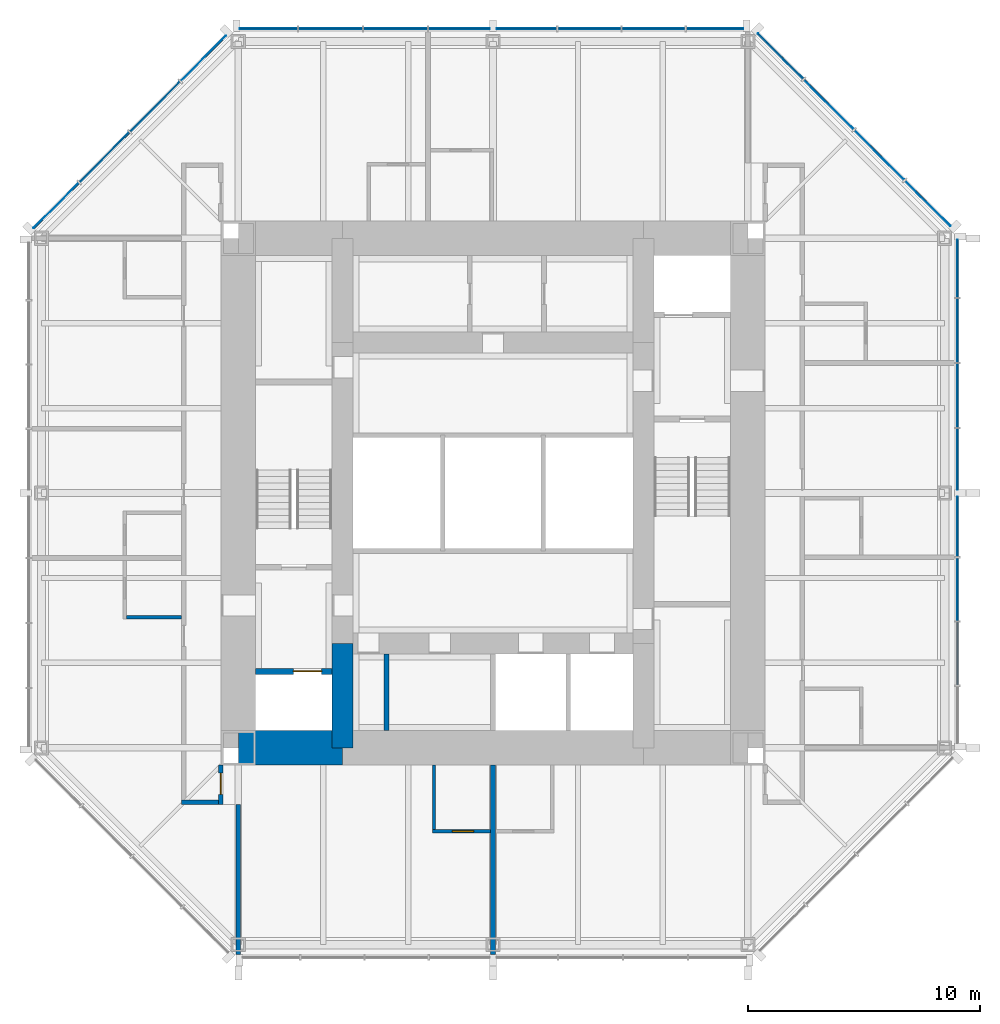
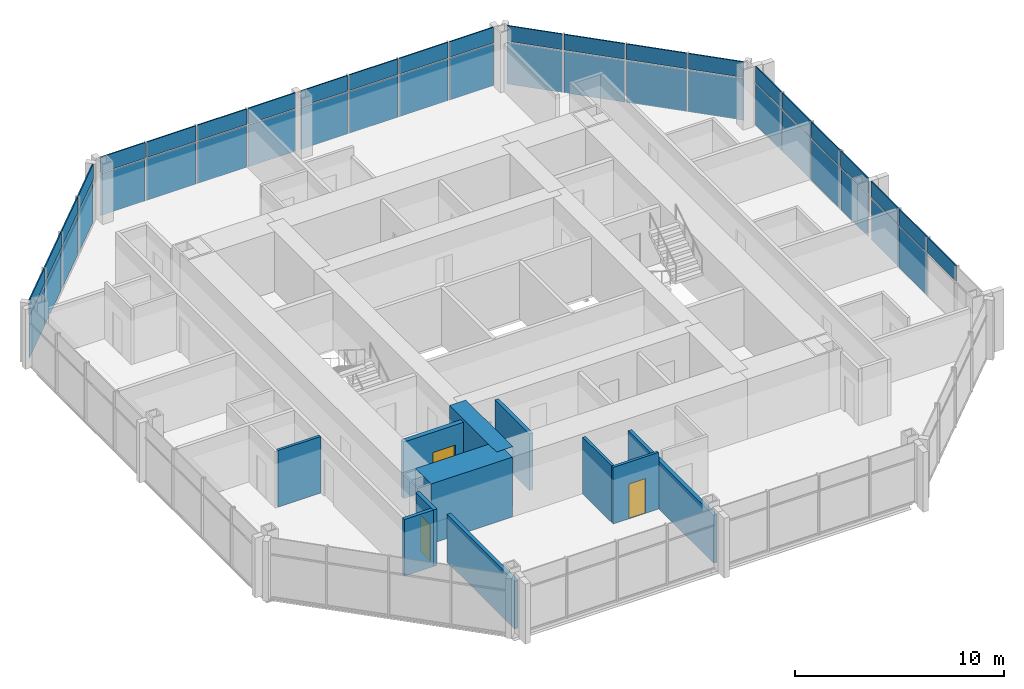
# One storey, part 7 of 11: 45 plates, 11 walls, 3 doors, 3 openings, 4 elements without a shape of their own.
"""IFC4 building model written with IfcOpenShell, lengths in metres."""

import ifcopenshell
import ifcopenshell.guid

model = None  # the IFC model being written
_history = None  # IfcOwnerHistory: only IFC2X3 demands one
_inside = {}  # id of a spatial element -> (the spatial element, [elements in it])
_under = {}  # id of a project, library or spatial element -> (it, [spatial elements below it])
_declared = {}  # id of a project -> (the project, [libraries it declares])
_typed = {}  # id of a type object -> (the type object, [elements of that type])
_made_of = {}  # id of a material, layer set ... -> (it, [elements and type objects made of it])


def new_model(schema):
    """Start an empty IFC model of exactly this schema.

    Asked for "IFC4X3", IfcOpenShell would pick the latest addendum, in which some entities
    have other attributes; the version numbers below select the first issue.
    IFC2X3 requires an IfcOwnerHistory on every rooted entity: one is made here for all.
    """
    global model, _history
    if schema == "IFC4X3":
        model = ifcopenshell.file(schema_version=(4, 3, 0, 0))
    else:
        model = ifcopenshell.file(schema=schema)
    _inside.clear()
    _under.clear()
    _declared.clear()
    _typed.clear()
    _made_of.clear()
    _history = None
    if model.schema == "IFC2X3":
        org = make("IfcOrganization", Name="unknown")
        user = make(
            "IfcPersonAndOrganization",
            ThePerson=make("IfcPerson", FamilyName="unknown"),
            TheOrganization=org,
        )
        app = make(
            "IfcApplication",
            ApplicationDeveloper=org,
            Version="unknown",
            ApplicationFullName="unknown",
            ApplicationIdentifier="unknown",
        )
        _history = make(
            "IfcOwnerHistory",
            OwningUser=user,
            OwningApplication=app,
            ChangeAction="ADDED",
            CreationDate=0,
        )
    return model


def make(cls, **values):
    """One entity of the class cls with the attributes given. An attribute that is None is left unset."""
    return model.create_entity(
        cls, **{name: value for name, value in values.items() if value is not None}
    )


def rooted(cls, **values):
    """An entity with a GlobalId (a new one), such as an element, a storey or a relation."""
    return make(cls, GlobalId=ifcopenshell.guid.new(), OwnerHistory=_history, **values)


def si_unit(unit_type, name, prefix=None):
    """IfcSIUnit, for example si_unit("LENGTHUNIT", "METRE", prefix="MILLI")."""
    return make("IfcSIUnit", UnitType=unit_type, Prefix=prefix, Name=name)


def assignment(units):
    """IfcUnitAssignment: the units of a project."""
    return None if units is None else make("IfcUnitAssignment", Units=units)


def point(xyz):
    """IfcCartesianPoint."""
    return None if xyz is None else make("IfcCartesianPoint", Coordinates=xyz)


def direction(xyz):
    """IfcDirection."""
    return None if xyz is None else make("IfcDirection", DirectionRatios=xyz)


def frame(location, z_axis=None, x_axis=None):
    """IfcAxis2Placement3D, a coordinate frame: its origin and axes. An axis left out is left unset."""
    return make(
        "IfcAxis2Placement3D",
        Location=point(location),
        Axis=direction(z_axis),
        RefDirection=direction(x_axis),
    )


def frame_2d(location, x_axis=None):
    """IfcAxis2Placement2D, a coordinate frame in the plane: its origin and x axis."""
    return make(
        "IfcAxis2Placement2D", Location=point(location), RefDirection=direction(x_axis)
    )


def origin():
    """The frame at (0, 0, 0) with its axes left unset."""
    return frame((0.0, 0.0, 0.0))


def origin_2d():
    """The frame at (0, 0) in the plane with its x axis left unset."""
    return frame_2d((0.0, 0.0))


def place(relative_to, where):
    """IfcLocalPlacement: puts the frame where relative to a parent placement (None: the world)."""
    return make(
        "IfcLocalPlacement", PlacementRelTo=relative_to, RelativePlacement=where
    )


def context(
    kind, dimensions, precision=None, world=None, true_north=None, identifier=None
):
    """IfcGeometricRepresentationContext, for example the 3D "Model" context."""
    return make(
        "IfcGeometricRepresentationContext",
        ContextIdentifier=identifier,
        ContextType=kind,
        CoordinateSpaceDimension=dimensions,
        Precision=precision,
        WorldCoordinateSystem=world,
        TrueNorth=true_north,
    )


def subcontext(parent, identifier, kind, view, scale=None):
    """IfcGeometricRepresentationSubContext, for example "Body" below "Model"."""
    return make(
        "IfcGeometricRepresentationSubContext",
        ContextIdentifier=identifier,
        ContextType=kind,
        ParentContext=parent,
        TargetScale=scale,
        TargetView=view,
    )


def project(units=None, contexts=None):
    """IfcProject with its units and contexts."""
    return rooted(
        "IfcProject",
        Name="project",
        RepresentationContexts=contexts,
        UnitsInContext=assignment(units),
    )


def spatial(cls, under=None, at=None, **own):
    """A site, building, storey or space (cls), placed at a placement, below another one or the project."""
    s = rooted(cls, ObjectPlacement=at, **own)
    if under is not None:
        _under.setdefault(under.id(), (under, []))[1].append(s)
    return s


def profile(cls, at=None, kind="AREA", **sizes):
    """A parametric profile (cls). Its sizes go by their IFC names, for example OverallWidth=200.0."""
    return make(cls, ProfileType=kind, Position=at, **sizes)


def rectangle(**sizes):
    """IfcRectangleProfileDef."""
    return profile("IfcRectangleProfileDef", **sizes)


def extrude(swept, where, along, depth):
    """IfcExtrudedAreaSolid: the profile swept, set in the frame where, extruded along a direction by depth."""
    return make(
        "IfcExtrudedAreaSolid",
        SweptArea=swept,
        Position=where,
        ExtrudedDirection=direction(along),
        Depth=depth,
    )


def shape(context_of_items, identifier, shape_type, items):
    """IfcShapeRepresentation: the items that make up one representation, for example the "Body"."""
    return make(
        "IfcShapeRepresentation",
        ContextOfItems=context_of_items,
        RepresentationIdentifier=identifier,
        RepresentationType=shape_type,
        Items=items,
    )


def material(Name=None, Category=None):
    """IfcMaterial."""
    return make("IfcMaterial", Name=Name, Category=Category)


def layer(
    of_material, thickness, ventilated=None, Name=None, Category=None, Priority=None
):
    """IfcMaterialLayer: one layer of a wall or slab, of a material (None: an air gap)."""
    return make(
        "IfcMaterialLayer",
        Material=of_material,
        LayerThickness=thickness,
        IsVentilated=ventilated,
        Name=Name,
        Category=Category,
        Priority=Priority,
    )


def layer_set(layers, Name=None):
    """IfcMaterialLayerSet."""
    return make("IfcMaterialLayerSet", MaterialLayers=layers, LayerSetName=Name)


def made_of(thing, what):
    """Note that an element or type object is made of a material, layer set ...; save() writes the relation."""
    if what is not None:
        _made_of.setdefault(what.id(), (what, []))[1].append(thing)
    return thing


def type_object(cls, material=None, **own):
    """A type object (cls), such as IfcWallType, which elements share."""
    return made_of(rooted(cls, **own), material)


def element(
    cls,
    number,
    at=None,
    inside=None,
    cuts=None,
    type_object=None,
    material=None,
    context=None,
    identifier="Body",
    shape_type=None,
    held_by="IfcProductDefinitionShape",
    body=None,
    shapes=None,
    **own,
):
    """One element of the class cls, such as IfcWall. Its Tag is "e" and its number.

    at: its placement. inside: the storey or other place that contains it. cuts: it is an
    opening in that element (IfcRelVoidsElement). A single representation is given by context,
    identifier, shape_type and body (its items); several are given by shapes. held_by: the class
    of the entity that holds the representations. save() writes the other relations.
    """
    e = rooted(cls, Tag="e%d" % number, ObjectPlacement=at, **own)
    if body is not None:
        shapes = [shape(context, identifier, shape_type, body)]
    if shapes is not None:
        e.Representation = make(held_by, Representations=shapes)
    if inside is not None:
        _inside.setdefault(inside.id(), (inside, []))[1].append(e)
    if cuts is not None:
        rooted(
            "IfcRelVoidsElement", RelatingBuildingElement=cuts, RelatedOpeningElement=e
        )
    if type_object is not None:
        _typed.setdefault(type_object.id(), (type_object, []))[1].append(e)
    return made_of(e, material)


def fill(opening, filler):
    """IfcRelFillsElement: the door or window that sits in an opening."""
    return rooted(
        "IfcRelFillsElement",
        RelatingOpeningElement=opening,
        RelatedBuildingElement=filler,
    )


def aggregate(whole, parts):
    """IfcRelAggregates: a whole, such as a stair, and the parts it consists of."""
    return rooted("IfcRelAggregates", RelatingObject=whole, RelatedObjects=parts)


def save(model, path):
    """Write the relations noted so far, then the file.

    IfcRelAggregates (storeys below a building ...), IfcRelContainedInSpatialStructure (elements
    in a storey), IfcRelDefinesByType, IfcRelAssociatesMaterial and IfcRelDeclares: one each for
    every whole, place, type object, material and project.
    """
    for whole, parts in _under.values():
        aggregate(whole, parts)
    for where, things in _inside.values():
        rooted(
            "IfcRelContainedInSpatialStructure",
            RelatedElements=things,
            RelatingStructure=where,
        )
    for kind, things in _typed.values():
        rooted("IfcRelDefinesByType", RelatedObjects=things, RelatingType=kind)
    for what, things in _made_of.values():
        rooted("IfcRelAssociatesMaterial", RelatedObjects=things, RelatingMaterial=what)
    for by, libraries in _declared.values():
        rooted("IfcRelDeclares", RelatingContext=by, RelatedDefinitions=libraries)
    model.write(path)


model = new_model("IFC4")

# Units and contexts
model_context = context("Model", 3, precision=1e-05, world=origin(), true_north=direction((0.0, 1.0)))
body_context = subcontext(model_context, "Body", "Model", "MODEL_VIEW")
ifc_project = project(units=[si_unit("LENGTHUNIT", "METRE"), si_unit("AREAUNIT", "SQUARE_METRE"), si_unit("VOLUMEUNIT", "CUBIC_METRE"), si_unit("PLANEANGLEUNIT", "RADIAN"), si_unit("MASSUNIT", "GRAM", prefix="KILO")], contexts=[model_context])

# Site, building, storey
site_placement = place(None, origin())
site = spatial("IfcSite", under=ifc_project, at=site_placement, CompositionType="ELEMENT")
building_placement = place(site_placement, origin())
building = spatial("IfcBuilding", under=site, at=building_placement, Name="Trevanion Tower", CompositionType="ELEMENT")
storey_placement = place(building_placement, frame((0.0, 0.0, 232.699951171875)))
storey = spatial("IfcBuildingStorey", under=building, at=storey_placement, Name="L56", CompositionType="ELEMENT", Elevation=232.699951171875)

# Curtain wall, plates
ifc_material_1 = material(Name="Aluminium and glass", Category="aluminium")
curtain_wall_type = type_object("IfcCurtainWallType", Name="CW3 curtain wall", PredefinedType="USERDEFINED", material=ifc_material_1)
curtain_wall_1_placement = place(storey_placement, origin())
curtain_wall_1 = element("IfcCurtainWall", 1, at=curtain_wall_1_placement, inside=storey, type_object=curtain_wall_type, Name="CW3 L56 0", ObjectType="UNITISED CURTAIN WALL", PredefinedType="USERDEFINED")
ifc_material_2 = material(Name="Aluminium spandrel panel", Category="aluminium")
ifc_layer_1 = layer(ifc_material_2, 0.06005859375)
ifc_layer_set_1 = layer_set([ifc_layer_1], Name="CW3 spandrel panel")
plate_type_1 = type_object("IfcPlateType", Name="CW3 spandrel panel", PredefinedType="CURTAIN_PANEL", material=ifc_layer_set_1)
plate_1_placement = place(storey_placement, frame((20.050048828125, -6.93603515625, 2.3974609375), z_axis=(0.0, 0.0, 1.0), x_axis=(0.0, 1.0, 0.0)))
plate_1 = element("IfcPlate", 2, at=plate_1_placement, type_object=plate_type_1, Name="CW3 panel 2.2", PredefinedType="CURTAIN_PANEL", context=body_context, shape_type="SweptSolid", body=[
    extrude(rectangle(XDim=2.699462890625, YDim=0.06005859375, at=origin_2d()), origin(), (0.0, 0.0, 1.0), 0.91259765625),
])
plate_2_placement = place(storey_placement, frame((20.050048828125, -4.16162109375, 2.3974609375), z_axis=(0.0, 0.0, 1.0), x_axis=(0.0, 1.0, 0.0)))
plate_2 = element("IfcPlate", 3, at=plate_2_placement, type_object=plate_type_1, Name="CW3 panel 3.2", PredefinedType="CURTAIN_PANEL", context=body_context, shape_type="SweptSolid", body=[
    extrude(rectangle(XDim=2.699462890625, YDim=0.06005859375, at=origin_2d()), origin(), (0.0, 0.0, 1.0), 0.91259765625),
])
plate_3_placement = place(storey_placement, frame((20.050048828125, -1.443603515625, 2.3974609375), z_axis=(0.0, 0.0, 1.0), x_axis=(0.0, 1.0, 0.0)))
plate_3 = element("IfcPlate", 4, at=plate_3_placement, type_object=plate_type_1, Name="CW3 panel 4.2", PredefinedType="CURTAIN_PANEL", context=body_context, shape_type="SweptSolid", body=[
    extrude(rectangle(XDim=2.5869140625, YDim=0.06005859375, at=origin_2d()), origin(), (0.0, 0.0, 1.0), 0.91259765625),
])
plate_4_placement = place(storey_placement, frame((20.050048828125, 1.459716796875, 2.3974609375), z_axis=(0.0, 0.0, 1.0), x_axis=(0.0, 1.0, 0.0)))
plate_4 = element("IfcPlate", 5, at=plate_4_placement, type_object=plate_type_1, Name="CW3 panel 5.2", PredefinedType="CURTAIN_PANEL", context=body_context, shape_type="SweptSolid", body=[
    extrude(rectangle(XDim=2.619384765625, YDim=0.06005859375, at=origin_2d()), origin(), (0.0, 0.0, 1.0), 0.91259765625),
])
plate_5_placement = place(storey_placement, frame((20.050048828125, 4.21044921875, 2.3974609375), z_axis=(0.0, 0.0, 1.0), x_axis=(0.0, 1.0, 0.0)))
plate_5 = element("IfcPlate", 6, at=plate_5_placement, type_object=plate_type_1, Name="CW3 panel 6.2", PredefinedType="CURTAIN_PANEL", context=body_context, shape_type="SweptSolid", body=[
    extrude(rectangle(XDim=2.73193359375, YDim=0.06005859375, at=origin_2d()), origin(), (0.0, 0.0, 1.0), 0.91259765625),
])
plate_6_placement = place(storey_placement, frame((20.050048828125, 7.017333984375, 2.3974609375), z_axis=(0.0, 0.0, 1.0), x_axis=(0.0, 1.0, 0.0)))
plate_6 = element("IfcPlate", 7, at=plate_6_placement, type_object=plate_type_1, Name="CW3 panel 7.2", PredefinedType="CURTAIN_PANEL", context=body_context, shape_type="SweptSolid", body=[
    extrude(rectangle(XDim=2.73193359375, YDim=0.06005859375, at=origin_2d()), origin(), (0.0, 0.0, 1.0), 0.91259765625),
])
plate_7_placement = place(storey_placement, frame((20.050048828125, 9.693115234375, 2.3974609375), z_axis=(0.0, 0.0, 1.0), x_axis=(0.0, 1.0, 0.0)))
plate_7 = element("IfcPlate", 8, at=plate_7_placement, type_object=plate_type_1, Name="CW3 panel 8.2", PredefinedType="CURTAIN_PANEL", context=body_context, shape_type="SweptSolid", body=[
    extrude(rectangle(XDim=2.469482421875, YDim=0.06005859375, at=origin_2d()), origin(), (0.0, 0.0, 1.0), 0.91259765625),
])

curtain_wall_2_placement = place(storey_placement, origin())
curtain_wall_2 = element("IfcCurtainWall", 9, at=curtain_wall_2_placement, inside=storey, type_object=curtain_wall_type, Name="CW3 L56 1", ObjectType="UNITISED CURTAIN WALL", PredefinedType="USERDEFINED")
plate_8_placement = place(storey_placement, frame((18.77392578125, 12.50390625, 2.3974609375), z_axis=(0.0, 0.0, 1.0), x_axis=(-0.707106781187, 0.707106781187, 0.0)))
plate_8 = element("IfcPlate", 10, at=plate_8_placement, type_object=plate_type_1, Name="CW3 panel 1.2", PredefinedType="CURTAIN_PANEL", context=body_context, shape_type="SweptSolid", body=[
    extrude(rectangle(XDim=2.7490234375, YDim=0.06005859375, at=origin_2d()), origin(), (0.0, 0.0, 1.0), 0.91259765625),
])
plate_9_placement = place(storey_placement, frame((16.68408203125, 14.593505859375, 2.3974609375), z_axis=(0.0, 0.0, 1.0), x_axis=(-0.707106781187, 0.707106781187, 0.0)))
plate_9 = element("IfcPlate", 11, at=plate_9_placement, type_object=plate_type_1, Name="CW3 panel 2.2", PredefinedType="CURTAIN_PANEL", context=body_context, shape_type="SweptSolid", body=[
    extrude(rectangle(XDim=3.01171875, YDim=0.06005859375, at=origin_2d()), origin(), (0.0, 0.0, 1.0), 0.91259765625),
])
plate_10_placement = place(storey_placement, frame((14.501708984375, 16.776123046875, 2.3974609375), z_axis=(0.0, 0.0, 1.0), x_axis=(-0.707106781187, 0.707106781187, 0.0)))
plate_10 = element("IfcPlate", 12, at=plate_10_placement, type_object=plate_type_1, Name="CW3 panel 3.2", PredefinedType="CURTAIN_PANEL", context=body_context, shape_type="SweptSolid", body=[
    extrude(rectangle(XDim=3.01171875, YDim=0.06005859375, at=origin_2d()), origin(), (0.0, 0.0, 1.0), 0.91259765625),
])
plate_11_placement = place(storey_placement, frame((12.411865234375, 18.865966796875, 2.3974609375), z_axis=(0.0, 0.0, 1.0), x_axis=(-0.707106781187, 0.707106781187, 0.0)))
plate_11 = element("IfcPlate", 13, at=plate_11_placement, type_object=plate_type_1, Name="CW3 panel 4.2", PredefinedType="CURTAIN_PANEL", context=body_context, shape_type="SweptSolid", body=[
    extrude(rectangle(XDim=2.7490234375, YDim=0.06005859375, at=origin_2d()), origin(), (0.0, 0.0, 1.0), 0.91259765625),
])

curtain_wall_3_placement = place(storey_placement, origin())
curtain_wall_3 = element("IfcCurtainWall", 14, at=curtain_wall_3_placement, inside=storey, type_object=curtain_wall_type, Name="CW3 L56 2", ObjectType="UNITISED CURTAIN WALL", PredefinedType="USERDEFINED")
plate_12_placement = place(storey_placement, frame((9.579345703125, 20.050048828125, 2.3974609375), z_axis=(0.0, 0.0, 1.0), x_axis=(-1.0, 0.0, 0.0)))
plate_12 = element("IfcPlate", 15, at=plate_12_placement, type_object=plate_type_1, Name="CW3 panel 1.2", PredefinedType="CURTAIN_PANEL", context=body_context, shape_type="SweptSolid", body=[
    extrude(rectangle(XDim=2.43701171875, YDim=0.06005859375, at=origin_2d()), origin(), (0.0, 0.0, 1.0), 0.91259765625),
])
plate_13_placement = place(storey_placement, frame((6.93603515625, 20.050048828125, 2.3974609375), z_axis=(0.0, 0.0, 1.0), x_axis=(-1.0, 0.0, 0.0)))
plate_13 = element("IfcPlate", 16, at=plate_13_placement, type_object=plate_type_1, Name="CW3 panel 2.2", PredefinedType="CURTAIN_PANEL", context=body_context, shape_type="SweptSolid", body=[
    extrude(rectangle(XDim=2.699462890625, YDim=0.06005859375, at=origin_2d()), origin(), (0.0, 0.0, 1.0), 0.91259765625),
])
plate_14_placement = place(storey_placement, frame((4.16162109375, 20.050048828125, 2.3974609375), z_axis=(0.0, 0.0, 1.0), x_axis=(-1.0, 0.0, 0.0)))
plate_14 = element("IfcPlate", 17, at=plate_14_placement, type_object=plate_type_1, Name="CW3 panel 3.2", PredefinedType="CURTAIN_PANEL", context=body_context, shape_type="SweptSolid", body=[
    extrude(rectangle(XDim=2.699462890625, YDim=0.06005859375, at=origin_2d()), origin(), (0.0, 0.0, 1.0), 0.91259765625),
])
plate_15_placement = place(storey_placement, frame((1.443603515625, 20.050048828125, 2.3974609375), z_axis=(0.0, 0.0, 1.0), x_axis=(-1.0, 0.0, 0.0)))
plate_15 = element("IfcPlate", 18, at=plate_15_placement, type_object=plate_type_1, Name="CW3 panel 4.2", PredefinedType="CURTAIN_PANEL", context=body_context, shape_type="SweptSolid", body=[
    extrude(rectangle(XDim=2.5869140625, YDim=0.06005859375, at=origin_2d()), origin(), (0.0, 0.0, 1.0), 0.91259765625),
])
plate_16_placement = place(storey_placement, frame((-1.459716796875, 20.050048828125, 2.3974609375), z_axis=(0.0, 0.0, 1.0), x_axis=(-1.0, 0.0, 0.0)))
plate_16 = element("IfcPlate", 19, at=plate_16_placement, type_object=plate_type_1, Name="CW3 panel 5.2", PredefinedType="CURTAIN_PANEL", context=body_context, shape_type="SweptSolid", body=[
    extrude(rectangle(XDim=2.619384765625, YDim=0.06005859375, at=origin_2d()), origin(), (0.0, 0.0, 1.0), 0.91259765625),
])
plate_17_placement = place(storey_placement, frame((-4.21044921875, 20.050048828125, 2.3974609375), z_axis=(0.0, 0.0, 1.0), x_axis=(-1.0, 0.0, 0.0)))
plate_17 = element("IfcPlate", 20, at=plate_17_placement, type_object=plate_type_1, Name="CW3 panel 6.2", PredefinedType="CURTAIN_PANEL", context=body_context, shape_type="SweptSolid", body=[
    extrude(rectangle(XDim=2.73193359375, YDim=0.06005859375, at=origin_2d()), origin(), (0.0, 0.0, 1.0), 0.91259765625),
])
plate_18_placement = place(storey_placement, frame((-7.017333984375, 20.050048828125, 2.3974609375), z_axis=(0.0, 0.0, 1.0), x_axis=(-1.0, 0.0, 0.0)))
plate_18 = element("IfcPlate", 21, at=plate_18_placement, type_object=plate_type_1, Name="CW3 panel 7.2", PredefinedType="CURTAIN_PANEL", context=body_context, shape_type="SweptSolid", body=[
    extrude(rectangle(XDim=2.73193359375, YDim=0.06005859375, at=origin_2d()), origin(), (0.0, 0.0, 1.0), 0.91259765625),
])
plate_19_placement = place(storey_placement, frame((-9.693115234375, 20.050048828125, 2.3974609375), z_axis=(0.0, 0.0, 1.0), x_axis=(-1.0, 0.0, 0.0)))
plate_19 = element("IfcPlate", 22, at=plate_19_placement, type_object=plate_type_1, Name="CW3 panel 8.2", PredefinedType="CURTAIN_PANEL", context=body_context, shape_type="SweptSolid", body=[
    extrude(rectangle(XDim=2.469482421875, YDim=0.06005859375, at=origin_2d()), origin(), (0.0, 0.0, 1.0), 0.91259765625),
])

curtain_wall_4_placement = place(storey_placement, origin())
curtain_wall_4 = element("IfcCurtainWall", 23, at=curtain_wall_4_placement, inside=storey, type_object=curtain_wall_type, Name="CW3 L56 3", ObjectType="UNITISED CURTAIN WALL", PredefinedType="USERDEFINED")
plate_20_placement = place(storey_placement, frame((-12.50390625, 18.77392578125, 2.3974609375), z_axis=(0.0, 0.0, 1.0), x_axis=(-0.707106781187, -0.707106781187, 0.0)))
plate_20 = element("IfcPlate", 24, at=plate_20_placement, type_object=plate_type_1, Name="CW3 panel 1.2", PredefinedType="CURTAIN_PANEL", context=body_context, shape_type="SweptSolid", body=[
    extrude(rectangle(XDim=2.7490234375, YDim=0.06005859375, at=origin_2d()), origin(), (0.0, 0.0, 1.0), 0.91259765625),
])
plate_21_placement = place(storey_placement, frame((-14.593505859375, 16.68408203125, 2.3974609375), z_axis=(0.0, 0.0, 1.0), x_axis=(-0.707106781187, -0.707106781187, 0.0)))
plate_21 = element("IfcPlate", 25, at=plate_21_placement, type_object=plate_type_1, Name="CW3 panel 2.2", PredefinedType="CURTAIN_PANEL", context=body_context, shape_type="SweptSolid", body=[
    extrude(rectangle(XDim=3.01171875, YDim=0.06005859375, at=origin_2d()), origin(), (0.0, 0.0, 1.0), 0.91259765625),
])
plate_22_placement = place(storey_placement, frame((-16.776123046875, 14.501708984375, 2.3974609375), z_axis=(0.0, 0.0, 1.0), x_axis=(-0.707106781187, -0.707106781187, 0.0)))
plate_22 = element("IfcPlate", 26, at=plate_22_placement, type_object=plate_type_1, Name="CW3 panel 3.2", PredefinedType="CURTAIN_PANEL", context=body_context, shape_type="SweptSolid", body=[
    extrude(rectangle(XDim=3.01171875, YDim=0.06005859375, at=origin_2d()), origin(), (0.0, 0.0, 1.0), 0.91259765625),
])
plate_23_placement = place(storey_placement, frame((-18.865966796875, 12.411865234375, 2.3974609375), z_axis=(0.0, 0.0, 1.0), x_axis=(-0.707106781187, -0.707106781187, 0.0)))
plate_23 = element("IfcPlate", 27, at=plate_23_placement, type_object=plate_type_1, Name="CW3 panel 4.2", PredefinedType="CURTAIN_PANEL", context=body_context, shape_type="SweptSolid", body=[
    extrude(rectangle(XDim=2.7490234375, YDim=0.06005859375, at=origin_2d()), origin(), (0.0, 0.0, 1.0), 0.91259765625),
])

# Plate
ifc_material_3 = material(Name="Insulating glass unit", Category="glass")
ifc_layer_2 = layer(ifc_material_3, 0.028076171875)
ifc_layer_set_2 = layer_set([ifc_layer_2], Name="CW3 vision panel")
plate_type_2 = type_object("IfcPlateType", Name="CW3 vision panel", PredefinedType="CURTAIN_PANEL", material=ifc_layer_set_2)
plate_24_placement = place(storey_placement, frame((20.050048828125, -4.16162109375, -0.114990234375), z_axis=(0.0, 0.0, 1.0), x_axis=(0.0, 1.0, 0.0)))
plate_24 = element("IfcPlate", 28, at=plate_24_placement, type_object=plate_type_2, Name="CW3 panel 3.1", PredefinedType="CURTAIN_PANEL", context=body_context, shape_type="SweptSolid", body=[
    extrude(rectangle(XDim=2.699462890625, YDim=0.028076171875, at=origin_2d()), origin(), (0.0, 0.0, 1.0), 2.4375),
])

plate_25_placement = place(storey_placement, frame((20.050048828125, -1.443603515625, -0.114990234375), z_axis=(0.0, 0.0, 1.0), x_axis=(0.0, 1.0, 0.0)))
plate_25 = element("IfcPlate", 29, at=plate_25_placement, type_object=plate_type_2, Name="CW3 panel 4.1", PredefinedType="CURTAIN_PANEL", context=body_context, shape_type="SweptSolid", body=[
    extrude(rectangle(XDim=2.5869140625, YDim=0.028076171875, at=origin_2d()), origin(), (0.0, 0.0, 1.0), 2.4375),
])

plate_26_placement = place(storey_placement, frame((20.050048828125, 1.459716796875, -0.114990234375), z_axis=(0.0, 0.0, 1.0), x_axis=(0.0, 1.0, 0.0)))
plate_26 = element("IfcPlate", 30, at=plate_26_placement, type_object=plate_type_2, Name="CW3 panel 5.1", PredefinedType="CURTAIN_PANEL", context=body_context, shape_type="SweptSolid", body=[
    extrude(rectangle(XDim=2.619384765625, YDim=0.028076171875, at=origin_2d()), origin(), (0.0, 0.0, 1.0), 2.4375),
])

plate_27_placement = place(storey_placement, frame((20.050048828125, 4.21044921875, -0.114990234375), z_axis=(0.0, 0.0, 1.0), x_axis=(0.0, 1.0, 0.0)))
plate_27 = element("IfcPlate", 31, at=plate_27_placement, type_object=plate_type_2, Name="CW3 panel 6.1", PredefinedType="CURTAIN_PANEL", context=body_context, shape_type="SweptSolid", body=[
    extrude(rectangle(XDim=2.73193359375, YDim=0.028076171875, at=origin_2d()), origin(), (0.0, 0.0, 1.0), 2.4375),
])

plate_28_placement = place(storey_placement, frame((20.050048828125, 7.017333984375, -0.114990234375), z_axis=(0.0, 0.0, 1.0), x_axis=(0.0, 1.0, 0.0)))
plate_28 = element("IfcPlate", 32, at=plate_28_placement, type_object=plate_type_2, Name="CW3 panel 7.1", PredefinedType="CURTAIN_PANEL", context=body_context, shape_type="SweptSolid", body=[
    extrude(rectangle(XDim=2.73193359375, YDim=0.028076171875, at=origin_2d()), origin(), (0.0, 0.0, 1.0), 2.4375),
])

plate_29_placement = place(storey_placement, frame((20.050048828125, 9.693115234375, -0.114990234375), z_axis=(0.0, 0.0, 1.0), x_axis=(0.0, 1.0, 0.0)))
plate_29 = element("IfcPlate", 33, at=plate_29_placement, type_object=plate_type_2, Name="CW3 panel 8.1", PredefinedType="CURTAIN_PANEL", context=body_context, shape_type="SweptSolid", body=[
    extrude(rectangle(XDim=2.469482421875, YDim=0.028076171875, at=origin_2d()), origin(), (0.0, 0.0, 1.0), 2.4375),
])

aggregate(curtain_wall_1, [plate_1, plate_24, plate_2, plate_25, plate_3, plate_26, plate_4, plate_27, plate_5, plate_28, plate_6, plate_29, plate_7])

plate_30_placement = place(storey_placement, frame((18.77392578125, 12.50390625, -0.114990234375), z_axis=(0.0, 0.0, 1.0), x_axis=(-0.707106781187, 0.707106781187, 0.0)))
plate_30 = element("IfcPlate", 34, at=plate_30_placement, type_object=plate_type_2, Name="CW3 panel 1.1", PredefinedType="CURTAIN_PANEL", context=body_context, shape_type="SweptSolid", body=[
    extrude(rectangle(XDim=2.7490234375, YDim=0.028076171875, at=origin_2d()), origin(), (0.0, 0.0, 1.0), 2.4375),
])

plate_31_placement = place(storey_placement, frame((16.68408203125, 14.593505859375, -0.114990234375), z_axis=(0.0, 0.0, 1.0), x_axis=(-0.707106781187, 0.707106781187, 0.0)))
plate_31 = element("IfcPlate", 35, at=plate_31_placement, type_object=plate_type_2, Name="CW3 panel 2.1", PredefinedType="CURTAIN_PANEL", context=body_context, shape_type="SweptSolid", body=[
    extrude(rectangle(XDim=3.01171875, YDim=0.028076171875, at=origin_2d()), origin(), (0.0, 0.0, 1.0), 2.4375),
])

plate_32_placement = place(storey_placement, frame((14.501708984375, 16.776123046875, -0.114990234375), z_axis=(0.0, 0.0, 1.0), x_axis=(-0.707106781187, 0.707106781187, 0.0)))
plate_32 = element("IfcPlate", 36, at=plate_32_placement, type_object=plate_type_2, Name="CW3 panel 3.1", PredefinedType="CURTAIN_PANEL", context=body_context, shape_type="SweptSolid", body=[
    extrude(rectangle(XDim=3.01171875, YDim=0.028076171875, at=origin_2d()), origin(), (0.0, 0.0, 1.0), 2.4375),
])

plate_33_placement = place(storey_placement, frame((12.411865234375, 18.865966796875, -0.114990234375), z_axis=(0.0, 0.0, 1.0), x_axis=(-0.707106781187, 0.707106781187, 0.0)))
plate_33 = element("IfcPlate", 37, at=plate_33_placement, type_object=plate_type_2, Name="CW3 panel 4.1", PredefinedType="CURTAIN_PANEL", context=body_context, shape_type="SweptSolid", body=[
    extrude(rectangle(XDim=2.7490234375, YDim=0.028076171875, at=origin_2d()), origin(), (0.0, 0.0, 1.0), 2.4375),
])

aggregate(curtain_wall_2, [plate_30, plate_8, plate_31, plate_9, plate_32, plate_10, plate_33, plate_11])

plate_34_placement = place(storey_placement, frame((9.579345703125, 20.050048828125, -0.114990234375), z_axis=(0.0, 0.0, 1.0), x_axis=(-1.0, 0.0, 0.0)))
plate_34 = element("IfcPlate", 38, at=plate_34_placement, type_object=plate_type_2, Name="CW3 panel 1.1", PredefinedType="CURTAIN_PANEL", context=body_context, shape_type="SweptSolid", body=[
    extrude(rectangle(XDim=2.43701171875, YDim=0.028076171875, at=origin_2d()), origin(), (0.0, 0.0, 1.0), 2.4375),
])

plate_35_placement = place(storey_placement, frame((6.93603515625, 20.050048828125, -0.114990234375), z_axis=(0.0, 0.0, 1.0), x_axis=(-1.0, 0.0, 0.0)))
plate_35 = element("IfcPlate", 39, at=plate_35_placement, type_object=plate_type_2, Name="CW3 panel 2.1", PredefinedType="CURTAIN_PANEL", context=body_context, shape_type="SweptSolid", body=[
    extrude(rectangle(XDim=2.699462890625, YDim=0.028076171875, at=origin_2d()), origin(), (0.0, 0.0, 1.0), 2.4375),
])

plate_36_placement = place(storey_placement, frame((4.16162109375, 20.050048828125, -0.114990234375), z_axis=(0.0, 0.0, 1.0), x_axis=(-1.0, 0.0, 0.0)))
plate_36 = element("IfcPlate", 40, at=plate_36_placement, type_object=plate_type_2, Name="CW3 panel 3.1", PredefinedType="CURTAIN_PANEL", context=body_context, shape_type="SweptSolid", body=[
    extrude(rectangle(XDim=2.699462890625, YDim=0.028076171875, at=origin_2d()), origin(), (0.0, 0.0, 1.0), 2.4375),
])

plate_37_placement = place(storey_placement, frame((1.443603515625, 20.050048828125, -0.114990234375), z_axis=(0.0, 0.0, 1.0), x_axis=(-1.0, 0.0, 0.0)))
plate_37 = element("IfcPlate", 41, at=plate_37_placement, type_object=plate_type_2, Name="CW3 panel 4.1", PredefinedType="CURTAIN_PANEL", context=body_context, shape_type="SweptSolid", body=[
    extrude(rectangle(XDim=2.5869140625, YDim=0.028076171875, at=origin_2d()), origin(), (0.0, 0.0, 1.0), 2.4375),
])

plate_38_placement = place(storey_placement, frame((-1.459716796875, 20.050048828125, -0.114990234375), z_axis=(0.0, 0.0, 1.0), x_axis=(-1.0, 0.0, 0.0)))
plate_38 = element("IfcPlate", 42, at=plate_38_placement, type_object=plate_type_2, Name="CW3 panel 5.1", PredefinedType="CURTAIN_PANEL", context=body_context, shape_type="SweptSolid", body=[
    extrude(rectangle(XDim=2.619384765625, YDim=0.028076171875, at=origin_2d()), origin(), (0.0, 0.0, 1.0), 2.4375),
])

plate_39_placement = place(storey_placement, frame((-4.21044921875, 20.050048828125, -0.114990234375), z_axis=(0.0, 0.0, 1.0), x_axis=(-1.0, 0.0, 0.0)))
plate_39 = element("IfcPlate", 43, at=plate_39_placement, type_object=plate_type_2, Name="CW3 panel 6.1", PredefinedType="CURTAIN_PANEL", context=body_context, shape_type="SweptSolid", body=[
    extrude(rectangle(XDim=2.73193359375, YDim=0.028076171875, at=origin_2d()), origin(), (0.0, 0.0, 1.0), 2.4375),
])

plate_40_placement = place(storey_placement, frame((-7.017333984375, 20.050048828125, -0.114990234375), z_axis=(0.0, 0.0, 1.0), x_axis=(-1.0, 0.0, 0.0)))
plate_40 = element("IfcPlate", 44, at=plate_40_placement, type_object=plate_type_2, Name="CW3 panel 7.1", PredefinedType="CURTAIN_PANEL", context=body_context, shape_type="SweptSolid", body=[
    extrude(rectangle(XDim=2.73193359375, YDim=0.028076171875, at=origin_2d()), origin(), (0.0, 0.0, 1.0), 2.4375),
])

plate_41_placement = place(storey_placement, frame((-9.693115234375, 20.050048828125, -0.114990234375), z_axis=(0.0, 0.0, 1.0), x_axis=(-1.0, 0.0, 0.0)))
plate_41 = element("IfcPlate", 45, at=plate_41_placement, type_object=plate_type_2, Name="CW3 panel 8.1", PredefinedType="CURTAIN_PANEL", context=body_context, shape_type="SweptSolid", body=[
    extrude(rectangle(XDim=2.469482421875, YDim=0.028076171875, at=origin_2d()), origin(), (0.0, 0.0, 1.0), 2.4375),
])

aggregate(curtain_wall_3, [plate_34, plate_12, plate_35, plate_13, plate_36, plate_14, plate_37, plate_15, plate_38, plate_16, plate_39, plate_17, plate_40, plate_18, plate_41, plate_19])

plate_42_placement = place(storey_placement, frame((-12.50390625, 18.77392578125, -0.114990234375), z_axis=(0.0, 0.0, 1.0), x_axis=(-0.707106781187, -0.707106781187, 0.0)))
plate_42 = element("IfcPlate", 46, at=plate_42_placement, type_object=plate_type_2, Name="CW3 panel 1.1", PredefinedType="CURTAIN_PANEL", context=body_context, shape_type="SweptSolid", body=[
    extrude(rectangle(XDim=2.7490234375, YDim=0.028076171875, at=origin_2d()), origin(), (0.0, 0.0, 1.0), 2.4375),
])

plate_43_placement = place(storey_placement, frame((-14.593505859375, 16.68408203125, -0.114990234375), z_axis=(0.0, 0.0, 1.0), x_axis=(-0.707106781187, -0.707106781187, 0.0)))
plate_43 = element("IfcPlate", 47, at=plate_43_placement, type_object=plate_type_2, Name="CW3 panel 2.1", PredefinedType="CURTAIN_PANEL", context=body_context, shape_type="SweptSolid", body=[
    extrude(rectangle(XDim=3.01171875, YDim=0.028076171875, at=origin_2d()), origin(), (0.0, 0.0, 1.0), 2.4375),
])

plate_44_placement = place(storey_placement, frame((-16.776123046875, 14.501708984375, -0.114990234375), z_axis=(0.0, 0.0, 1.0), x_axis=(-0.707106781187, -0.707106781187, 0.0)))
plate_44 = element("IfcPlate", 48, at=plate_44_placement, type_object=plate_type_2, Name="CW3 panel 3.1", PredefinedType="CURTAIN_PANEL", context=body_context, shape_type="SweptSolid", body=[
    extrude(rectangle(XDim=3.01171875, YDim=0.028076171875, at=origin_2d()), origin(), (0.0, 0.0, 1.0), 2.4375),
])

plate_45_placement = place(storey_placement, frame((-18.865966796875, 12.411865234375, -0.114990234375), z_axis=(0.0, 0.0, 1.0), x_axis=(-0.707106781187, -0.707106781187, 0.0)))
plate_45 = element("IfcPlate", 49, at=plate_45_placement, type_object=plate_type_2, Name="CW3 panel 4.1", PredefinedType="CURTAIN_PANEL", context=body_context, shape_type="SweptSolid", body=[
    extrude(rectangle(XDim=2.7490234375, YDim=0.028076171875, at=origin_2d()), origin(), (0.0, 0.0, 1.0), 2.4375),
])

aggregate(curtain_wall_4, [plate_42, plate_20, plate_43, plate_21, plate_44, plate_22, plate_45, plate_23])

# Walls
ifc_material_4 = material(Name="Concrete 10,000 psi", Category="concrete")
ifc_layer_3 = layer(ifc_material_4, 1.5)
ifc_layer_set_3 = layer_set([ifc_layer_3], Name="CW1 core wall 1500")
wall_type_1 = type_object("IfcWallType", Name="CW1 core wall 1500", PredefinedType="SHEAR", material=ifc_layer_set_3)
wall_1_placement = place(storey_placement, frame((-11.0, -11.0, 0.0), z_axis=(0.0, 0.0, 1.0), x_axis=(1.0, 0.0, 0.0)))
element("IfcWall", 50, at=wall_1_placement, inside=storey, type_object=wall_type_1, Name="CW1 CS1 L56", PredefinedType="SHEAR", context=body_context, shape_type="SweptSolid", body=[
    extrude(rectangle(XDim=4.5, YDim=1.5, at=frame_2d((2.25, 0.0))), origin(), (0.0, 0.0, 1.0), 3.5),
])
ifc_material_5 = material(Name="Concrete 10,000 psi", Category="concrete")
ifc_layer_4 = layer(ifc_material_5, 0.89990234375)
ifc_layer_set_4 = layer_set([ifc_layer_4], Name="CW2 core wall 900")
wall_type_2 = type_object("IfcWallType", Name="CW2 core wall 900", PredefinedType="SHEAR", material=ifc_layer_set_4)
wall_2_placement = place(storey_placement, frame((-6.5, -6.5, 0.0), z_axis=(0.0, 0.0, 1.0), x_axis=(0.0, -1.0, 0.0)))
element("IfcWall", 51, at=wall_2_placement, inside=storey, type_object=wall_type_2, Name="CW2 RW3 L56", PredefinedType="SHEAR", context=body_context, shape_type="SweptSolid", body=[
    extrude(rectangle(XDim=4.5, YDim=0.89990234375, at=frame_2d((2.25, 0.0))), origin(), (0.0, 0.0, 1.0), 3.5),
])
ifc_material_6 = material(Name="Gypsum board on steel studs", Category="steel")
ifc_layer_5 = layer(ifc_material_6, 0.14990234375)
ifc_layer_set_5 = layer_set([ifc_layer_5], Name="PT1 partition 150")
wall_type_3 = type_object("IfcWallType", Name="PT1 partition 150", PredefinedType="PARTITIONING", material=ifc_layer_set_5)
wall_3_placement = place(storey_placement, frame((-13.449951171875, -5.35693359375, 0.0), z_axis=(0.0, 0.0, 1.0), x_axis=(-1.0, 0.0, 0.0)))
element("IfcWall", 52, at=wall_3_placement, inside=storey, type_object=wall_type_3, Name="PT1 L56 BB22", PredefinedType="PARTITIONING", context=body_context, shape_type="SweptSolid", body=[
    extrude(rectangle(XDim=2.375, YDim=0.14990234375, at=frame_2d((1.1875, 0.0))), origin(), (0.0, 0.0, 1.0), 3.31005859375),
])

# Wall, opening, door
wall_4_placement = place(storey_placement, frame((-2.625, -14.60009765625, 0.0), z_axis=(0.0, 0.0, 1.0), x_axis=(1.0, 0.0, 0.0)))
wall_4 = element("IfcWall", 53, at=wall_4_placement, inside=storey, type_object=wall_type_3, Name="PT1 L56 BA30", PredefinedType="PARTITIONING", context=body_context, shape_type="SweptSolid", body=[
    extrude(rectangle(XDim=2.52490234375, YDim=0.14990234375, at=frame_2d((1.262451171875, 0.0))), origin(), (0.0, 0.0, 1.0), 3.31005859375),
])
opening_1_placement = place(wall_4_placement, frame((0.867431640625, 0.0, 0.0)))
opening_1 = element("IfcOpeningElement", 54, at=opening_1_placement, cuts=wall_4, Name="Opening 56-036", PredefinedType="OPENING", context=body_context, shape_type="SweptSolid", body=[
    extrude(rectangle(XDim=0.9150390625, YDim=2.031982421875, at=frame_2d((0.45751953125, 1.01611328125))), frame((0.0, 0.0849609375, 0.0), z_axis=(0.0, -1.0, 0.0), x_axis=(1.0, 0.0, 0.0)), (0.0, 0.0, 1.0), 0.169921875),
])
ifc_material_7 = material(Name="Timber veneer", Category="wood")
door_type_1 = type_object("IfcDoorType", Name="D7 bathroom door", OperationType="SINGLE_SWING_LEFT", PredefinedType="DOOR", material=ifc_material_7)
door_1_placement = place(opening_1_placement, origin())
door_1 = element("IfcDoor", 55, at=door_1_placement, inside=storey, type_object=door_type_1, Name="Door 56-036", OperationType="SINGLE_SWING_LEFT", OverallHeight=2.031982421875, OverallWidth=0.9150390625, PredefinedType="DOOR", context=body_context, shape_type="SweptSolid", body=[
    extrude(rectangle(XDim=0.9150390625, YDim=2.031982421875, at=frame_2d((0.45751953125, 1.01611328125))), frame((0.0, 0.02490234375, 0.0), z_axis=(0.0, -1.0, 0.0), x_axis=(1.0, 0.0, 0.0)), (0.0, 0.0, 1.0), 0.050048828125),
])
fill(opening_1, door_1)

# Walls
wall_5_placement = place(storey_placement, frame((-2.550048828125, -11.75, 0.0), z_axis=(0.0, 0.0, 1.0), x_axis=(0.0, -1.0, 0.0)))
element("IfcWall", 56, at=wall_5_placement, inside=storey, type_object=wall_type_3, Name="PT1 L56 BB30", PredefinedType="PARTITIONING", context=body_context, shape_type="SweptSolid", body=[
    extrude(rectangle(XDim=2.77490234375, YDim=0.14990234375, at=frame_2d((1.387451171875, 0.0))), origin(), (0.0, 0.0, 1.0), 3.31005859375),
])
ifc_material_8 = material(Name="Concrete masonry, grouted", Category="masonry")
ifc_layer_6 = layer(ifc_material_8, 0.199951171875)
ifc_layer_set_6 = layer_set([ifc_layer_6], Name="PT2 partition 200 1 HR")
wall_type_4 = type_object("IfcWallType", Name="PT2 partition 200 1 HR", PredefinedType="PARTITIONING", material=ifc_layer_set_6)
wall_6_placement = place(storey_placement, frame((-4.60009765625, -10.25, 0.0), z_axis=(0.0, 0.0, 1.0), x_axis=(0.0, 1.0, 0.0)))
element("IfcWall", 57, at=wall_6_placement, inside=storey, type_object=wall_type_4, Name="PT2 L56 SI0", PredefinedType="PARTITIONING", context=body_context, shape_type="SweptSolid", body=[
    extrude(rectangle(XDim=3.300048828125, YDim=0.199951171875, at=frame_2d((1.64990234375, 0.0))), origin(), (0.0, 0.0, 1.0), 3.31005859375),
])

# Wall, opening, door
wall_7_placement = place(storey_placement, frame((-11.75, -11.75, 0.0), z_axis=(0.0, 0.0, 1.0), x_axis=(0.0, -1.0, 0.0)))
wall_7 = element("IfcWall", 58, at=wall_7_placement, inside=storey, type_object=wall_type_4, Name="PT2 L56 HO3a", PredefinedType="PARTITIONING", context=body_context, shape_type="SweptSolid", body=[
    extrude(rectangle(XDim=1.699951171875, YDim=0.199951171875, at=frame_2d((0.85009765625, 0.0))), origin(), (0.0, 0.0, 1.0), 3.31005859375),
])
opening_2_placement = place(wall_7_placement, frame((0.342529296875, 0.0, 0.0)))
opening_2 = element("IfcOpeningElement", 59, at=opening_2_placement, cuts=wall_7, Name="Opening 56-034", PredefinedType="OPENING", context=body_context, shape_type="SweptSolid", body=[
    extrude(rectangle(XDim=0.9150390625, YDim=2.134033203125, at=frame_2d((0.45751953125, 1.06689453125))), frame((0.0, 0.10986328125, 0.0), z_axis=(0.0, -1.0, 0.0), x_axis=(1.0, 0.0, 0.0)), (0.0, 0.0, 1.0), 0.219970703125),
])
ifc_material_9 = material(Name="Timber veneer, fire rated", Category="wood")
door_type_2 = type_object("IfcDoorType", Name="D6 guest room entrance door", OperationType="SINGLE_SWING_LEFT", PredefinedType="DOOR", material=ifc_material_9)
door_2_placement = place(opening_2_placement, origin())
door_2 = element("IfcDoor", 60, at=door_2_placement, inside=storey, type_object=door_type_2, Name="Door 56-034", OperationType="SINGLE_SWING_LEFT", OverallHeight=2.134033203125, OverallWidth=0.9150390625, PredefinedType="DOOR", context=body_context, shape_type="SweptSolid", body=[
    extrude(rectangle(XDim=0.9150390625, YDim=2.134033203125, at=frame_2d((0.45751953125, 1.06689453125))), frame((0.0, 0.02490234375, 0.0), z_axis=(0.0, -1.0, 0.0), x_axis=(1.0, 0.0, 0.0)), (0.0, 0.0, 1.0), 0.050048828125),
])
fill(opening_2, door_2)

# Walls
wall_8_placement = place(storey_placement, frame((-13.449951171875, -13.35009765625, 0.0), z_axis=(0.0, 0.0, 1.0), x_axis=(1.0, 0.0, 0.0)))
element("IfcWall", 61, at=wall_8_placement, inside=storey, type_object=wall_type_4, Name="PT2 L56 HC3ca", PredefinedType="PARTITIONING", context=body_context, shape_type="SweptSolid", body=[
    extrude(rectangle(XDim=1.599853515625, YDim=0.199951171875, at=frame_2d((0.7998046875, 0.0))), origin(), (0.0, 0.0, 1.0), 3.31005859375),
])
wall_9_placement = place(storey_placement, frame((-11.0, -13.449951171875, 0.0), z_axis=(0.0, 0.0, 1.0), x_axis=(0.0, -1.0, 0.0)))
element("IfcWall", 62, at=wall_9_placement, inside=storey, type_object=wall_type_4, Name="PT2 L56 HD30", PredefinedType="PARTITIONING", context=body_context, shape_type="SweptSolid", body=[
    extrude(rectangle(XDim=6.465087890625, YDim=0.199951171875, at=frame_2d((3.232421875, 0.0))), origin(), (0.0, 0.0, 1.0), 2.802001953125),
])
wall_10_placement = place(storey_placement, frame((0.0, -11.75, 0.0), z_axis=(0.0, 0.0, 1.0), x_axis=(0.0, -1.0, 0.0)))
element("IfcWall", 63, at=wall_10_placement, inside=storey, type_object=wall_type_4, Name="PT2 L56 HD31", PredefinedType="PARTITIONING", context=body_context, shape_type="SweptSolid", body=[
    extrude(rectangle(XDim=8.1650390625, YDim=0.199951171875, at=frame_2d((4.08251953125, 0.0))), origin(), (0.0, 0.0, 1.0), 2.802001953125),
])

# Wall, opening, door
ifc_material_10 = material(Name="Concrete masonry, grouted, two-hour", Category="masonry")
ifc_layer_7 = layer(ifc_material_10, 0.25)
ifc_layer_set_7 = layer_set([ifc_layer_7], Name="PT3 partition 250 2 HR")
wall_type_5 = type_object("IfcWallType", Name="PT3 partition 250 2 HR", PredefinedType="PARTITIONING", material=ifc_layer_set_7)
wall_11_placement = place(storey_placement, frame((-6.949951171875, -7.699951171875, 0.0), z_axis=(0.0, 0.0, 1.0), x_axis=(-1.0, 0.0, 0.0)))
wall_11 = element("IfcWall", 64, at=wall_11_placement, inside=storey, type_object=wall_type_5, Name="PT3 L56 WP3", PredefinedType="PARTITIONING", context=body_context, shape_type="SweptSolid", body=[
    extrude(rectangle(XDim=3.300048828125, YDim=0.25, at=frame_2d((1.64990234375, 0.0))), origin(), (0.0, 0.0, 1.0), 3.31005859375),
])
opening_3_placement = place(wall_11_placement, frame((0.449951171875, 0.0, 0.0)))
opening_3 = element("IfcOpeningElement", 65, at=opening_3_placement, cuts=wall_11, Name="Opening 56-008", PredefinedType="OPENING", context=body_context, shape_type="SweptSolid", body=[
    extrude(rectangle(XDim=1.218994140625, YDim=2.134033203125, at=frame_2d((0.609375, 1.06689453125))), frame((0.0, 0.135009765625, 0.0), z_axis=(0.0, -1.0, 0.0), x_axis=(1.0, 0.0, 0.0)), (0.0, 0.0, 1.0), 0.27001953125),
])
ifc_material_11 = material(Name="Stainless steel, fire rated", Category="steel")
door_type_3 = type_object("IfcDoorType", Name="LD2 fire service lift landing door", OperationType="SLIDING_TO_LEFT", PredefinedType="DOOR", material=ifc_material_11)
door_3_placement = place(opening_3_placement, origin())
door_3 = element("IfcDoor", 66, at=door_3_placement, inside=storey, type_object=door_type_3, Name="Door 56-008", OperationType="SLIDING_TO_LEFT", OverallHeight=2.134033203125, OverallWidth=1.218994140625, PredefinedType="DOOR", context=body_context, shape_type="SweptSolid", body=[
    extrude(rectangle(XDim=1.218994140625, YDim=2.134033203125, at=frame_2d((0.609375, 1.06689453125))), frame((0.0, 0.02490234375, 0.0), z_axis=(0.0, -1.0, 0.0), x_axis=(1.0, 0.0, 0.0)), (0.0, 0.0, 1.0), 0.050048828125),
])
fill(opening_3, door_3)

save(model, "model.ifc")
